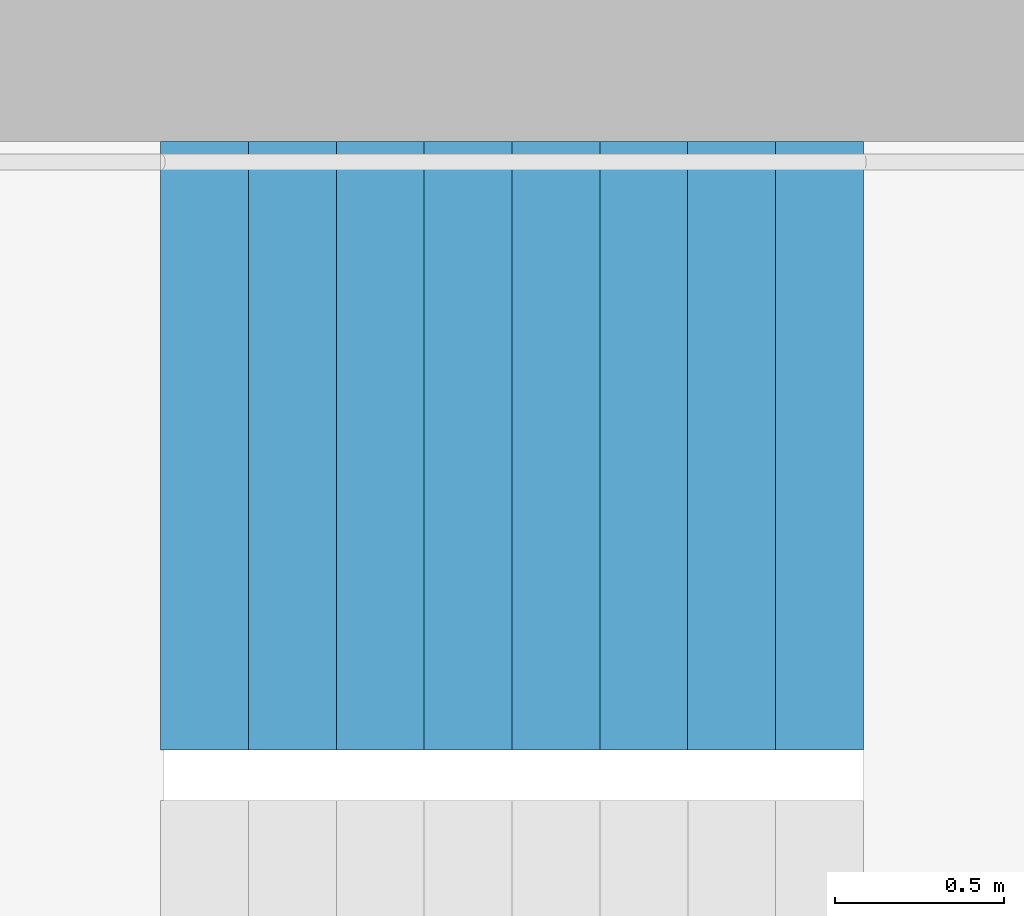
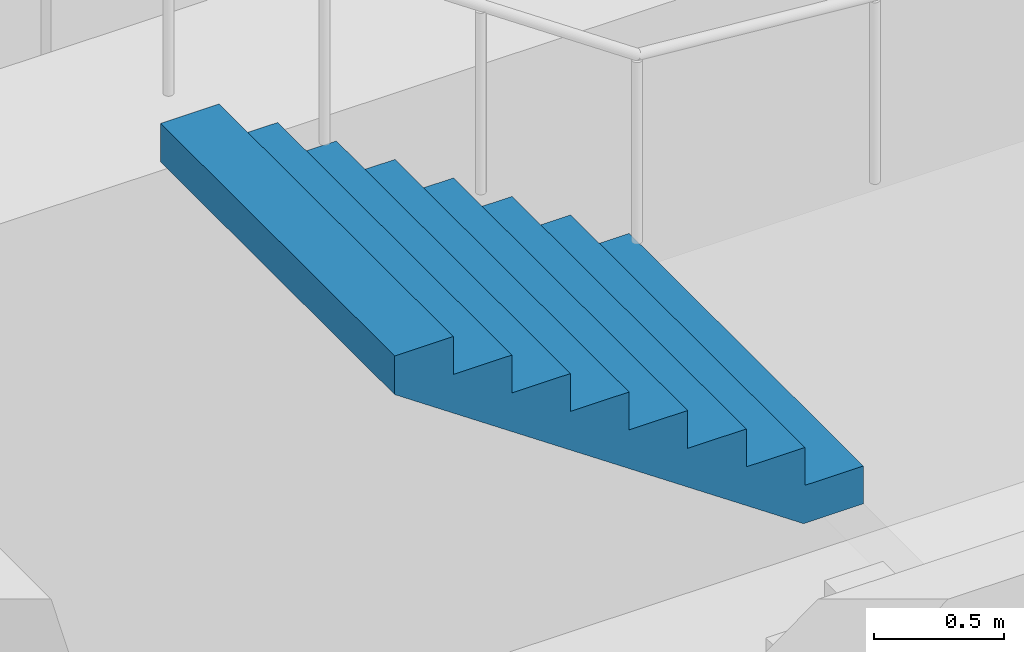
# One storey, part 24 of 29: 1 stair flight, 1 element without a shape of its own.
"""IFC4 building model written with IfcOpenShell, lengths in metres."""

from ifc_helpers import new_model, si_unit, direction, frame, origin, place, context, subcontext, project, spatial, triangles, material, type_object, element, aggregate, save


model = new_model("IFC4")

# Units and contexts
model_context = context("Model", 3, precision=1e-05, world=origin(), true_north=direction((0.0, 1.0)))
body_context = subcontext(model_context, "Body", "Model", "MODEL_VIEW")
ifc_project = project(units=[si_unit("LENGTHUNIT", "METRE"), si_unit("AREAUNIT", "SQUARE_METRE"), si_unit("VOLUMEUNIT", "CUBIC_METRE"), si_unit("PLANEANGLEUNIT", "RADIAN"), si_unit("MASSUNIT", "GRAM", prefix="KILO")], contexts=[model_context])

# Site, building, storey
site_placement = place(None, origin())
site = spatial("IfcSite", under=ifc_project, at=site_placement, CompositionType="ELEMENT")
building_placement = place(site_placement, origin())
building = spatial("IfcBuilding", under=site, at=building_placement, Name="Hakoniwa Tower and Hamabe Station Hall", CompositionType="ELEMENT")
storey_placement = place(building_placement, frame((0.0, 0.0, 45.39990234375)))
storey = spatial("IfcBuildingStorey", under=building, at=storey_placement, Name="L12", CompositionType="ELEMENT", Elevation=45.39990234375)

# Stair, stair flight
ifc_material_1 = material(Name="Concrete C40", Category="concrete")
stair_type = type_object("IfcStairType", Name="ESCAPE STAIR 1800", PredefinedType="HALF_TURN_STAIR", material=ifc_material_1)
stair_placement = place(storey_placement, origin())
stair = element("IfcStair", 1, at=stair_placement, inside=storey, type_object=stair_type, Name="Escape stair ST-1 L12", PredefinedType="HALF_TURN_STAIR")
ifc_material_2 = material(Name="Concrete C40", Category="concrete")
stair_flight_type = type_object("IfcStairFlightType", Name="STAIR FLIGHT 1800", PredefinedType="STRAIGHT", material=ifc_material_2)
stair_flight_placement = place(storey_placement, frame((-22.320068359375, 6.60009765625, 1.60009765625), z_axis=(0.0, 0.0, 1.0), x_axis=(-1.0, 0.0, 0.0)))
stair_flight = element("IfcStairFlight", 2, at=stair_flight_placement, type_object=stair_flight_type, Name="ST-1 flight 2", NumberOfRisers=9, NumberOfTreads=8, PredefinedType="STRAIGHT", RiserHeight=0.177777778, TreadLength=0.26, context=body_context, shape_type="Tessellation", body=[
    triangles([(0.0, 0.89990234375, 0.0), (0.260009765625, 0.89990234375, 0.0), (0.265625, 0.89990234375, 0.0), (0.52001953125, 0.89990234375, 0.174072265625), (0.780029296875, 0.89990234375, 0.351806640625), (1.0400390625, 0.89990234375, 0.529541015625), (1.300048828125, 0.89990234375, 0.707275390625), (1.56005859375, 0.89990234375, 0.885009765625), (1.820068359375, 0.89990234375, 1.062744140625), (2.080078125, 0.89990234375, 1.24072265625), (2.080078125, 0.89990234375, 1.422119140625), (1.820068359375, 0.89990234375, 1.422119140625), (1.820068359375, 0.89990234375, 1.244384765625), (1.56005859375, 0.89990234375, 1.244384765625), (1.56005859375, 0.89990234375, 1.066650390625), (1.300048828125, 0.89990234375, 1.066650390625), (1.300048828125, 0.89990234375, 0.888916015625), (1.0400390625, 0.89990234375, 0.888916015625), (1.0400390625, 0.89990234375, 0.711181640625), (0.780029296875, 0.89990234375, 0.711181640625), (0.780029296875, 0.89990234375, 0.533447265625), (0.52001953125, 0.89990234375, 0.533447265625), (0.52001953125, 0.89990234375, 0.35546875), (0.265625, 0.89990234375, 0.35546875), (0.260009765625, 0.89990234375, 0.35546875), (0.260009765625, 0.89990234375, 0.177734375), (0.0, 0.89990234375, 0.177734375), (0.0, 0.06005859375, 0.0), (0.260009765625, 0.06005859375, 0.0), (0.265625, 0.06005859375, 0.0), (0.52001953125, 0.06005859375, 0.174072265625), (0.780029296875, 0.06005859375, 0.351806640625), (1.0400390625, 0.06005859375, 0.529541015625), (1.300048828125, 0.06005859375, 0.707275390625), (1.56005859375, 0.06005859375, 0.885009765625), (1.820068359375, 0.06005859375, 1.062744140625), (2.080078125, 0.06005859375, 1.24072265625), (2.080078125, 0.06005859375, 1.422119140625), (1.820068359375, 0.06005859375, 1.422119140625), (1.820068359375, 0.06005859375, 1.244384765625), (1.56005859375, 0.06005859375, 1.244384765625), (1.56005859375, 0.06005859375, 1.066650390625), (1.300048828125, 0.06005859375, 1.066650390625), (1.300048828125, 0.06005859375, 0.888916015625), (1.0400390625, 0.06005859375, 0.888916015625), (1.0400390625, 0.06005859375, 0.711181640625), (0.780029296875, 0.06005859375, 0.711181640625), (0.780029296875, 0.06005859375, 0.533447265625), (0.52001953125, 0.06005859375, 0.533447265625), (0.52001953125, 0.06005859375, 0.35546875), (0.265625, 0.06005859375, 0.35546875), (0.260009765625, 0.06005859375, 0.35546875), (0.260009765625, 0.06005859375, 0.177734375), (0.0, 0.06005859375, 0.177734375), (0.0, 0.04296875, 0.0), (0.260009765625, 0.04296875, 0.0), (0.265625, 0.04296875, 0.0), (0.52001953125, 0.04296875, 0.174072265625), (0.780029296875, 0.04296875, 0.351806640625), (1.0400390625, 0.04296875, 0.529541015625), (1.300048828125, 0.04296875, 0.707275390625), (1.56005859375, 0.04296875, 0.885009765625), (1.820068359375, 0.04296875, 1.062744140625), (2.080078125, 0.04296875, 1.24072265625), (2.080078125, 0.04296875, 1.422119140625), (1.820068359375, 0.04296875, 1.422119140625), (1.820068359375, 0.04296875, 1.244384765625), (1.56005859375, 0.04296875, 1.244384765625), (1.56005859375, 0.04296875, 1.066650390625), (1.300048828125, 0.04296875, 1.066650390625), (1.300048828125, 0.04296875, 0.888916015625), (1.0400390625, 0.04296875, 0.888916015625), (1.0400390625, 0.04296875, 0.711181640625), (0.780029296875, 0.04296875, 0.711181640625), (0.780029296875, 0.04296875, 0.533447265625), (0.52001953125, 0.04296875, 0.533447265625), (0.52001953125, 0.04296875, 0.35546875), (0.265625, 0.04296875, 0.35546875), (0.260009765625, 0.04296875, 0.35546875), (0.260009765625, 0.04296875, 0.177734375), (0.0, 0.04296875, 0.177734375), (0.0, 0.025634765625, 0.0), (0.260009765625, 0.025634765625, 0.0), (0.265625, 0.025634765625, 0.0), (0.52001953125, 0.025634765625, 0.174072265625), (0.780029296875, 0.025634765625, 0.351806640625), (1.0400390625, 0.025634765625, 0.529541015625), (1.300048828125, 0.025634765625, 0.707275390625), (1.56005859375, 0.025634765625, 0.885009765625), (1.820068359375, 0.025634765625, 1.062744140625), (2.080078125, 0.025634765625, 1.24072265625), (2.080078125, 0.025634765625, 1.422119140625), (1.820068359375, 0.025634765625, 1.422119140625), (1.820068359375, 0.025634765625, 1.244384765625), (1.56005859375, 0.025634765625, 1.244384765625), (1.56005859375, 0.025634765625, 1.066650390625), (1.300048828125, 0.025634765625, 1.066650390625), (1.300048828125, 0.025634765625, 0.888916015625), (1.0400390625, 0.025634765625, 0.888916015625), (1.0400390625, 0.025634765625, 0.711181640625), (0.780029296875, 0.025634765625, 0.711181640625), (0.780029296875, 0.025634765625, 0.533447265625), (0.52001953125, 0.025634765625, 0.533447265625), (0.52001953125, 0.025634765625, 0.35546875), (0.265625, 0.025634765625, 0.35546875), (0.260009765625, 0.025634765625, 0.35546875), (0.260009765625, 0.025634765625, 0.177734375), (0.0, 0.025634765625, 0.177734375), (0.0, 0.008544921875, 0.0), (0.260009765625, 0.008544921875, 0.0), (0.265625, 0.008544921875, 0.0), (0.52001953125, 0.008544921875, 0.174072265625), (0.780029296875, 0.008544921875, 0.351806640625), (1.0400390625, 0.008544921875, 0.529541015625), (1.300048828125, 0.008544921875, 0.707275390625), (1.56005859375, 0.008544921875, 0.885009765625), (1.820068359375, 0.008544921875, 1.062744140625), (2.080078125, 0.008544921875, 1.24072265625), (2.080078125, 0.008544921875, 1.422119140625), (1.820068359375, 0.008544921875, 1.422119140625), (1.820068359375, 0.008544921875, 1.244384765625), (1.56005859375, 0.008544921875, 1.244384765625), (1.56005859375, 0.008544921875, 1.066650390625), (1.300048828125, 0.008544921875, 1.066650390625), (1.300048828125, 0.008544921875, 0.888916015625), (1.0400390625, 0.008544921875, 0.888916015625), (1.0400390625, 0.008544921875, 0.711181640625), (0.780029296875, 0.008544921875, 0.711181640625), (0.780029296875, 0.008544921875, 0.533447265625), (0.52001953125, 0.008544921875, 0.533447265625), (0.52001953125, 0.008544921875, 0.35546875), (0.265625, 0.008544921875, 0.35546875), (0.260009765625, 0.008544921875, 0.35546875), (0.260009765625, 0.008544921875, 0.177734375), (0.0, 0.008544921875, 0.177734375), (0.0, -0.008544921875, 0.0), (0.260009765625, -0.008544921875, 0.0), (0.265625, -0.008544921875, 0.0), (0.52001953125, -0.008544921875, 0.174072265625), (0.780029296875, -0.008544921875, 0.351806640625), (1.0400390625, -0.008544921875, 0.529541015625), (1.300048828125, -0.008544921875, 0.707275390625), (1.56005859375, -0.008544921875, 0.885009765625), (1.820068359375, -0.008544921875, 1.062744140625), (2.080078125, -0.008544921875, 1.24072265625), (2.080078125, -0.008544921875, 1.422119140625), (1.820068359375, -0.008544921875, 1.422119140625), (1.820068359375, -0.008544921875, 1.244384765625), (1.56005859375, -0.008544921875, 1.244384765625), (1.56005859375, -0.008544921875, 1.066650390625), (1.300048828125, -0.008544921875, 1.066650390625), (1.300048828125, -0.008544921875, 0.888916015625), (1.0400390625, -0.008544921875, 0.888916015625), (1.0400390625, -0.008544921875, 0.711181640625), (0.780029296875, -0.008544921875, 0.711181640625), (0.780029296875, -0.008544921875, 0.533447265625), (0.52001953125, -0.008544921875, 0.533447265625), (0.52001953125, -0.008544921875, 0.35546875), (0.265625, -0.008544921875, 0.35546875), (0.260009765625, -0.008544921875, 0.35546875), (0.260009765625, -0.008544921875, 0.177734375), (0.0, -0.008544921875, 0.177734375), (0.0, -0.025634765625, 0.0), (0.260009765625, -0.025634765625, 0.0), (0.265625, -0.025634765625, 0.0), (0.52001953125, -0.025634765625, 0.174072265625), (0.780029296875, -0.025634765625, 0.351806640625), (1.0400390625, -0.025634765625, 0.529541015625), (1.300048828125, -0.025634765625, 0.707275390625), (1.56005859375, -0.025634765625, 0.885009765625), (1.820068359375, -0.025634765625, 1.062744140625), (2.080078125, -0.025634765625, 1.24072265625), (2.080078125, -0.025634765625, 1.422119140625), (1.820068359375, -0.025634765625, 1.422119140625), (1.820068359375, -0.025634765625, 1.244384765625), (1.56005859375, -0.025634765625, 1.244384765625), (1.56005859375, -0.025634765625, 1.066650390625), (1.300048828125, -0.025634765625, 1.066650390625), (1.300048828125, -0.025634765625, 0.888916015625), (1.0400390625, -0.025634765625, 0.888916015625), (1.0400390625, -0.025634765625, 0.711181640625), (0.780029296875, -0.025634765625, 0.711181640625), (0.780029296875, -0.025634765625, 0.533447265625), (0.52001953125, -0.025634765625, 0.533447265625), (0.52001953125, -0.025634765625, 0.35546875), (0.265625, -0.025634765625, 0.35546875), (0.260009765625, -0.025634765625, 0.35546875), (0.260009765625, -0.025634765625, 0.177734375), (0.0, -0.025634765625, 0.177734375), (0.0, -0.04296875, 0.0), (0.260009765625, -0.04296875, 0.0), (0.265625, -0.04296875, 0.0), (0.52001953125, -0.04296875, 0.174072265625), (0.780029296875, -0.04296875, 0.351806640625), (1.0400390625, -0.04296875, 0.529541015625), (1.300048828125, -0.04296875, 0.707275390625), (1.56005859375, -0.04296875, 0.885009765625), (1.820068359375, -0.04296875, 1.062744140625), (2.080078125, -0.04296875, 1.24072265625), (2.080078125, -0.04296875, 1.422119140625), (1.820068359375, -0.04296875, 1.422119140625), (1.820068359375, -0.04296875, 1.244384765625), (1.56005859375, -0.04296875, 1.244384765625), (1.56005859375, -0.04296875, 1.066650390625), (1.300048828125, -0.04296875, 1.066650390625), (1.300048828125, -0.04296875, 0.888916015625), (1.0400390625, -0.04296875, 0.888916015625), (1.0400390625, -0.04296875, 0.711181640625), (0.780029296875, -0.04296875, 0.711181640625), (0.780029296875, -0.04296875, 0.533447265625), (0.52001953125, -0.04296875, 0.533447265625), (0.52001953125, -0.04296875, 0.35546875), (0.265625, -0.04296875, 0.35546875), (0.260009765625, -0.04296875, 0.35546875), (0.260009765625, -0.04296875, 0.177734375), (0.0, -0.04296875, 0.177734375), (0.0, -0.06005859375, 0.0), (0.260009765625, -0.06005859375, 0.0), (0.265625, -0.06005859375, 0.0), (0.52001953125, -0.06005859375, 0.174072265625), (0.780029296875, -0.06005859375, 0.351806640625), (1.0400390625, -0.06005859375, 0.529541015625), (1.300048828125, -0.06005859375, 0.707275390625), (1.56005859375, -0.06005859375, 0.885009765625), (1.820068359375, -0.06005859375, 1.062744140625), (2.080078125, -0.06005859375, 1.24072265625), (2.080078125, -0.06005859375, 1.422119140625), (1.820068359375, -0.06005859375, 1.422119140625), (1.820068359375, -0.06005859375, 1.244384765625), (1.56005859375, -0.06005859375, 1.244384765625), (1.56005859375, -0.06005859375, 1.066650390625), (1.300048828125, -0.06005859375, 1.066650390625), (1.300048828125, -0.06005859375, 0.888916015625), (1.0400390625, -0.06005859375, 0.888916015625), (1.0400390625, -0.06005859375, 0.711181640625), (0.780029296875, -0.06005859375, 0.711181640625), (0.780029296875, -0.06005859375, 0.533447265625), (0.52001953125, -0.06005859375, 0.533447265625), (0.52001953125, -0.06005859375, 0.35546875), (0.265625, -0.06005859375, 0.35546875), (0.260009765625, -0.06005859375, 0.35546875), (0.260009765625, -0.06005859375, 0.177734375), (0.0, -0.06005859375, 0.177734375), (0.0, -0.89990234375, 0.0), (0.260009765625, -0.89990234375, 0.0), (0.265625, -0.89990234375, 0.0), (0.52001953125, -0.89990234375, 0.174072265625), (0.780029296875, -0.89990234375, 0.351806640625), (1.0400390625, -0.89990234375, 0.529541015625), (1.300048828125, -0.89990234375, 0.707275390625), (1.56005859375, -0.89990234375, 0.885009765625), (1.820068359375, -0.89990234375, 1.062744140625), (2.080078125, -0.89990234375, 1.24072265625), (2.080078125, -0.89990234375, 1.422119140625), (1.820068359375, -0.89990234375, 1.422119140625), (1.820068359375, -0.89990234375, 1.244384765625), (1.56005859375, -0.89990234375, 1.244384765625), (1.56005859375, -0.89990234375, 1.066650390625), (1.300048828125, -0.89990234375, 1.066650390625), (1.300048828125, -0.89990234375, 0.888916015625), (1.0400390625, -0.89990234375, 0.888916015625), (1.0400390625, -0.89990234375, 0.711181640625), (0.780029296875, -0.89990234375, 0.711181640625), (0.780029296875, -0.89990234375, 0.533447265625), (0.52001953125, -0.89990234375, 0.533447265625), (0.52001953125, -0.89990234375, 0.35546875), (0.265625, -0.89990234375, 0.35546875), (0.260009765625, -0.89990234375, 0.35546875), (0.260009765625, -0.89990234375, 0.177734375), (0.0, -0.89990234375, 0.177734375)], [[2, 27, 26], [245, 269, 270], [2, 1, 27], [245, 270, 244], [3, 25, 24], [246, 267, 268], [3, 26, 25], [246, 268, 269], [3, 2, 26], [246, 269, 245], [4, 24, 23], [247, 266, 267], [4, 3, 24], [247, 267, 246], [5, 22, 21], [248, 264, 265], [5, 23, 22], [248, 265, 266], [5, 4, 23], [248, 266, 247], [6, 20, 19], [249, 262, 263], [6, 21, 20], [249, 263, 264], [6, 5, 21], [249, 264, 248], [7, 18, 17], [250, 260, 261], [7, 19, 18], [250, 261, 262], [7, 6, 19], [250, 262, 249], [8, 16, 15], [251, 258, 259], [8, 17, 16], [251, 259, 260], [8, 7, 17], [251, 260, 250], [9, 14, 13], [252, 256, 257], [9, 15, 14], [252, 257, 258], [9, 8, 15], [252, 258, 251], [10, 12, 11], [253, 254, 255], [10, 13, 12], [253, 255, 256], [10, 9, 13], [253, 256, 252], [1, 2, 29], [1, 29, 28], [28, 29, 56], [28, 56, 55], [55, 56, 83], [55, 83, 82], [82, 83, 110], [82, 110, 109], [109, 110, 137], [109, 137, 136], [136, 137, 164], [136, 164, 163], [163, 164, 191], [163, 191, 190], [190, 191, 218], [190, 218, 217], [217, 218, 245], [217, 245, 244], [2, 3, 30], [2, 30, 29], [29, 30, 57], [29, 57, 56], [56, 57, 84], [56, 84, 83], [83, 84, 111], [83, 111, 110], [110, 111, 138], [110, 138, 137], [137, 138, 165], [137, 165, 164], [164, 165, 192], [164, 192, 191], [191, 192, 219], [191, 219, 218], [218, 219, 246], [218, 246, 245], [3, 4, 31], [3, 31, 30], [30, 31, 58], [30, 58, 57], [57, 58, 85], [57, 85, 84], [84, 85, 112], [84, 112, 111], [111, 112, 139], [111, 139, 138], [138, 139, 166], [138, 166, 165], [165, 166, 193], [165, 193, 192], [192, 193, 220], [192, 220, 219], [219, 220, 247], [219, 247, 246], [4, 5, 32], [4, 32, 31], [31, 32, 59], [31, 59, 58], [58, 59, 86], [58, 86, 85], [85, 86, 113], [85, 113, 112], [112, 113, 140], [112, 140, 139], [139, 140, 167], [139, 167, 166], [166, 167, 194], [166, 194, 193], [193, 194, 221], [193, 221, 220], [220, 221, 248], [220, 248, 247], [5, 6, 33], [5, 33, 32], [32, 33, 60], [32, 60, 59], [59, 60, 87], [59, 87, 86], [86, 87, 114], [86, 114, 113], [113, 114, 141], [113, 141, 140], [140, 141, 168], [140, 168, 167], [167, 168, 195], [167, 195, 194], [194, 195, 222], [194, 222, 221], [221, 222, 249], [221, 249, 248], [6, 7, 34], [6, 34, 33], [33, 34, 61], [33, 61, 60], [60, 61, 88], [60, 88, 87], [87, 88, 115], [87, 115, 114], [114, 115, 142], [114, 142, 141], [141, 142, 169], [141, 169, 168], [168, 169, 196], [168, 196, 195], [195, 196, 223], [195, 223, 222], [222, 223, 250], [222, 250, 249], [7, 8, 35], [7, 35, 34], [34, 35, 62], [34, 62, 61], [61, 62, 89], [61, 89, 88], [88, 89, 116], [88, 116, 115], [115, 116, 143], [115, 143, 142], [142, 143, 170], [142, 170, 169], [169, 170, 197], [169, 197, 196], [196, 197, 224], [196, 224, 223], [223, 224, 251], [223, 251, 250], [8, 9, 36], [8, 36, 35], [35, 36, 63], [35, 63, 62], [62, 63, 90], [62, 90, 89], [89, 90, 117], [89, 117, 116], [116, 117, 144], [116, 144, 143], [143, 144, 171], [143, 171, 170], [170, 171, 198], [170, 198, 197], [197, 198, 225], [197, 225, 224], [224, 225, 252], [224, 252, 251], [9, 10, 37], [9, 37, 36], [36, 37, 64], [36, 64, 63], [63, 64, 91], [63, 91, 90], [90, 91, 118], [90, 118, 117], [117, 118, 145], [117, 145, 144], [144, 145, 172], [144, 172, 171], [171, 172, 199], [171, 199, 198], [198, 199, 226], [198, 226, 225], [225, 226, 253], [225, 253, 252], [10, 11, 38], [10, 38, 37], [37, 38, 65], [37, 65, 64], [64, 65, 92], [64, 92, 91], [91, 92, 119], [91, 119, 118], [118, 119, 146], [118, 146, 145], [145, 146, 173], [145, 173, 172], [172, 173, 200], [172, 200, 199], [199, 200, 227], [199, 227, 226], [226, 227, 254], [226, 254, 253], [11, 12, 39], [11, 39, 38], [38, 39, 66], [38, 66, 65], [65, 66, 93], [65, 93, 92], [92, 93, 120], [92, 120, 119], [119, 120, 147], [119, 147, 146], [146, 147, 174], [146, 174, 173], [173, 174, 201], [173, 201, 200], [200, 201, 228], [200, 228, 227], [227, 228, 255], [227, 255, 254], [12, 13, 40], [12, 40, 39], [39, 40, 67], [39, 67, 66], [66, 67, 94], [66, 94, 93], [93, 94, 121], [93, 121, 120], [120, 121, 148], [120, 148, 147], [147, 148, 175], [147, 175, 174], [174, 175, 202], [174, 202, 201], [201, 202, 229], [201, 229, 228], [228, 229, 256], [228, 256, 255], [13, 14, 41], [13, 41, 40], [40, 41, 68], [40, 68, 67], [67, 68, 95], [67, 95, 94], [94, 95, 122], [94, 122, 121], [121, 122, 149], [121, 149, 148], [148, 149, 176], [148, 176, 175], [175, 176, 203], [175, 203, 202], [202, 203, 230], [202, 230, 229], [229, 230, 257], [229, 257, 256], [14, 15, 42], [14, 42, 41], [41, 42, 69], [41, 69, 68], [68, 69, 96], [68, 96, 95], [95, 96, 123], [95, 123, 122], [122, 123, 150], [122, 150, 149], [149, 150, 177], [149, 177, 176], [176, 177, 204], [176, 204, 203], [203, 204, 231], [203, 231, 230], [230, 231, 258], [230, 258, 257], [15, 16, 43], [15, 43, 42], [42, 43, 70], [42, 70, 69], [69, 70, 97], [69, 97, 96], [96, 97, 124], [96, 124, 123], [123, 124, 151], [123, 151, 150], [150, 151, 178], [150, 178, 177], [177, 178, 205], [177, 205, 204], [204, 205, 232], [204, 232, 231], [231, 232, 259], [231, 259, 258], [16, 17, 44], [16, 44, 43], [43, 44, 71], [43, 71, 70], [70, 71, 98], [70, 98, 97], [97, 98, 125], [97, 125, 124], [124, 125, 152], [124, 152, 151], [151, 152, 179], [151, 179, 178], [178, 179, 206], [178, 206, 205], [205, 206, 233], [205, 233, 232], [232, 233, 260], [232, 260, 259], [17, 18, 45], [17, 45, 44], [44, 45, 72], [44, 72, 71], [71, 72, 99], [71, 99, 98], [98, 99, 126], [98, 126, 125], [125, 126, 153], [125, 153, 152], [152, 153, 180], [152, 180, 179], [179, 180, 207], [179, 207, 206], [206, 207, 234], [206, 234, 233], [233, 234, 261], [233, 261, 260], [18, 19, 46], [18, 46, 45], [45, 46, 73], [45, 73, 72], [72, 73, 100], [72, 100, 99], [99, 100, 127], [99, 127, 126], [126, 127, 154], [126, 154, 153], [153, 154, 181], [153, 181, 180], [180, 181, 208], [180, 208, 207], [207, 208, 235], [207, 235, 234], [234, 235, 262], [234, 262, 261], [19, 20, 47], [19, 47, 46], [46, 47, 74], [46, 74, 73], [73, 74, 101], [73, 101, 100], [100, 101, 128], [100, 128, 127], [127, 128, 155], [127, 155, 154], [154, 155, 182], [154, 182, 181], [181, 182, 209], [181, 209, 208], [208, 209, 236], [208, 236, 235], [235, 236, 263], [235, 263, 262], [20, 21, 48], [20, 48, 47], [47, 48, 75], [47, 75, 74], [74, 75, 102], [74, 102, 101], [101, 102, 129], [101, 129, 128], [128, 129, 156], [128, 156, 155], [155, 156, 183], [155, 183, 182], [182, 183, 210], [182, 210, 209], [209, 210, 237], [209, 237, 236], [236, 237, 264], [236, 264, 263], [21, 22, 49], [21, 49, 48], [48, 49, 76], [48, 76, 75], [75, 76, 103], [75, 103, 102], [102, 103, 130], [102, 130, 129], [129, 130, 157], [129, 157, 156], [156, 157, 184], [156, 184, 183], [183, 184, 211], [183, 211, 210], [210, 211, 238], [210, 238, 237], [237, 238, 265], [237, 265, 264], [22, 23, 50], [22, 50, 49], [49, 50, 77], [49, 77, 76], [76, 77, 104], [76, 104, 103], [103, 104, 131], [103, 131, 130], [130, 131, 158], [130, 158, 157], [157, 158, 185], [157, 185, 184], [184, 185, 212], [184, 212, 211], [211, 212, 239], [211, 239, 238], [238, 239, 266], [238, 266, 265], [23, 24, 51], [23, 51, 50], [50, 51, 78], [50, 78, 77], [77, 78, 105], [77, 105, 104], [104, 105, 132], [104, 132, 131], [131, 132, 159], [131, 159, 158], [158, 159, 186], [158, 186, 185], [185, 186, 213], [185, 213, 212], [212, 213, 240], [212, 240, 239], [239, 240, 267], [239, 267, 266], [24, 25, 52], [24, 52, 51], [51, 52, 79], [51, 79, 78], [78, 79, 106], [78, 106, 105], [105, 106, 133], [105, 133, 132], [132, 133, 160], [132, 160, 159], [159, 160, 187], [159, 187, 186], [186, 187, 214], [186, 214, 213], [213, 214, 241], [213, 241, 240], [240, 241, 268], [240, 268, 267], [25, 26, 53], [25, 53, 52], [52, 53, 80], [52, 80, 79], [79, 80, 107], [79, 107, 106], [106, 107, 134], [106, 134, 133], [133, 134, 161], [133, 161, 160], [160, 161, 188], [160, 188, 187], [187, 188, 215], [187, 215, 214], [214, 215, 242], [214, 242, 241], [241, 242, 269], [241, 269, 268], [26, 27, 54], [26, 54, 53], [53, 54, 81], [53, 81, 80], [80, 81, 108], [80, 108, 107], [107, 108, 135], [107, 135, 134], [134, 135, 162], [134, 162, 161], [161, 162, 189], [161, 189, 188], [188, 189, 216], [188, 216, 215], [215, 216, 243], [215, 243, 242], [242, 243, 270], [242, 270, 269], [27, 1, 28], [27, 28, 54], [54, 28, 55], [54, 55, 81], [81, 55, 82], [81, 82, 108], [108, 82, 109], [108, 109, 135], [135, 109, 136], [135, 136, 162], [162, 136, 163], [162, 163, 189], [189, 163, 190], [189, 190, 216], [216, 190, 217], [216, 217, 243], [243, 217, 244], [243, 244, 270]], closed=True),
])
aggregate(stair, [stair_flight])

save(model, "model.ifc")
